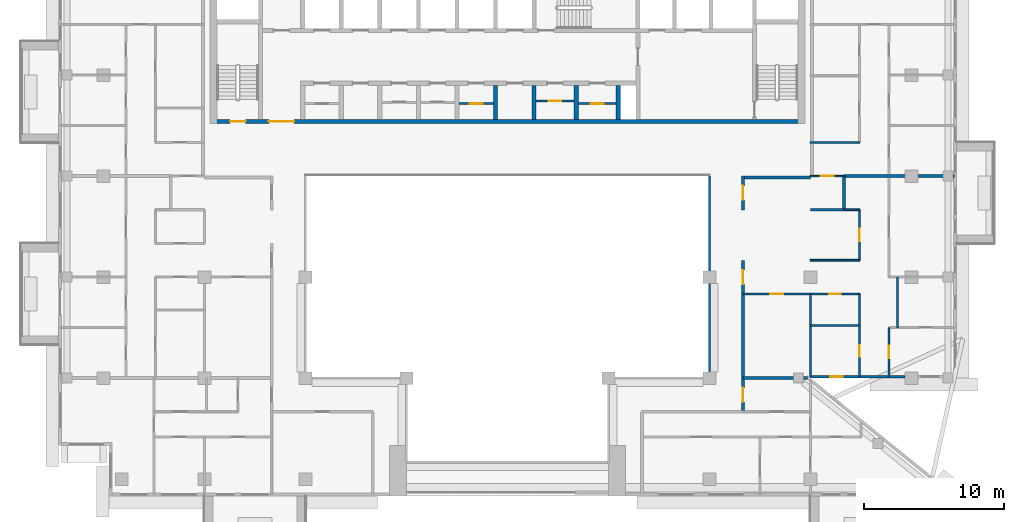
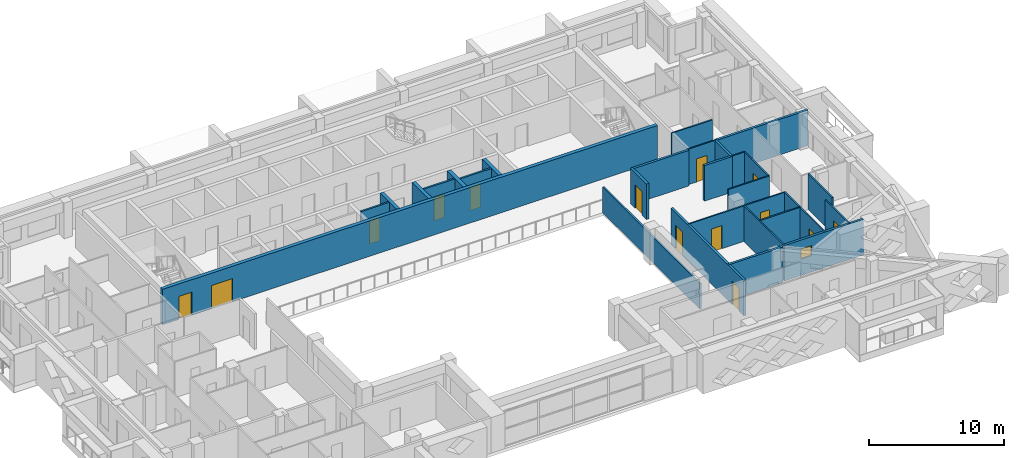
# One storey, part 9 of 19: 28 walls, 14 doors, 1 window, 15 openings.
"""IFC4 building model written with IfcOpenShell, lengths in metres."""

from ifc_helpers import new_model, si_unit, direction, frame, frame_2d, origin, place, context, subcontext, project, spatial, rectangle, extrude, material, layer, layer_set, type_object, element, fill, save


model = new_model("IFC4")

# Units and contexts
model_context = context("Model", 3, precision=1e-05, world=origin(), true_north=direction((0.0, 1.0)))
body_context = subcontext(model_context, "Body", "Model", "MODEL_VIEW")
ifc_project = project(units=[si_unit("LENGTHUNIT", "METRE"), si_unit("AREAUNIT", "SQUARE_METRE"), si_unit("VOLUMEUNIT", "CUBIC_METRE"), si_unit("PLANEANGLEUNIT", "RADIAN"), si_unit("MASSUNIT", "GRAM", prefix="KILO")], contexts=[model_context])

# Site, building, storey
site_placement = place(None, origin())
site = spatial("IfcSite", under=ifc_project, at=site_placement, CompositionType="ELEMENT")
building_placement = place(site_placement, origin())
building = spatial("IfcBuilding", under=site, at=building_placement, Name="Saffron Iwan Residences", CompositionType="ELEMENT")
storey_placement = place(building_placement, frame((0.0, 0.0, 222.0)))
storey = spatial("IfcBuildingStorey", under=building, at=storey_placement, Name="L59", CompositionType="ELEMENT", Elevation=222.0)

# Wall
ifc_material_1 = material(Name="Fire-rated glazing", Category="glass")
ifc_layer_1 = layer(ifc_material_1, 0.14990234375)
ifc_layer_set_1 = layer_set([ifc_layer_1], Name="Fire-rated glazing")
wall_type_1 = type_object("IfcWallType", Name="Atrium glazed screen 150", PredefinedType="SOLIDWALL", material=ifc_layer_set_1)
wall_1_placement = place(storey_placement, frame((64.800048828125, 48.0, 0.0), z_axis=(0.0, 0.0, 1.0), x_axis=(0.0, 1.0, 0.0)))
element("IfcWall", 1, at=wall_1_placement, inside=storey, type_object=wall_type_1, Name="W-L59-SCREEN-v64.8-48", PredefinedType="SOLIDWALL", context=body_context, shape_type="SweptSolid", body=[
    extrude(rectangle(XDim=14.39990234375, YDim=0.14990234375, at=frame_2d((7.199951171875, 0.0))), origin(), (0.0, 0.0, 1.0), 2.320068359375),
])

# Wall, opening, door
ifc_material_2 = material(Name="Fire-rated plasterboard partition")
ifc_layer_2 = layer(ifc_material_2, 0.14990234375)
ifc_layer_set_2 = layer_set([ifc_layer_2], Name="Fire-rated plasterboard partition")
wall_type_2 = type_object("IfcWallType", Name="Core partition 150", PredefinedType="PARTITIONING", material=ifc_layer_set_2)
wall_2_placement = place(storey_placement, frame((46.949951171875, 67.5654296875, 0.0), z_axis=(0.0, 0.0, 1.0), x_axis=(1.0, 0.0, 0.0)))
wall_2 = element("IfcWall", 2, at=wall_2_placement, inside=storey, type_object=wall_type_2, Name="Core partition P04", PredefinedType="PARTITIONING", context=body_context, shape_type="SweptSolid", body=[
    extrude(rectangle(XDim=2.449951171875, YDim=0.14990234375, at=frame_2d((1.22509765625, 0.0))), origin(), (0.0, 0.0, 1.0), 3.219970703125),
])
opening_1_placement = place(wall_2_placement, frame((0.77490234375, 0.0, 0.0)))
opening_1 = element("IfcOpeningElement", 3, at=opening_1_placement, cuts=wall_2, Name="Opening SB", PredefinedType="OPENING", context=body_context, shape_type="SweptSolid", body=[
    extrude(rectangle(XDim=0.89990234375, YDim=2.10009765625, at=frame_2d((0.449951171875, 1.050048828125))), frame((0.0, 0.0849609375, 0.0), z_axis=(0.0, -1.0, 0.0), x_axis=(1.0, 0.0, 0.0)), (0.0, 0.0, 1.0), 0.169921875),
])
ifc_material_3 = material(Name="Steel fire door", Category="steel")
door_type_1 = type_object("IfcDoorType", Name="Store door 900", OperationType="NOTDEFINED", PredefinedType="DOOR", material=ifc_material_3)
door_1_placement = place(opening_1_placement, origin())
door_1 = element("IfcDoor", 4, at=door_1_placement, inside=storey, type_object=door_type_1, Name="Door Equipment store", OperationType="SINGLE_SWING_RIGHT", OverallHeight=2.10009765625, OverallWidth=0.89990234375, PredefinedType="DOOR", context=body_context, shape_type="SweptSolid", body=[
    extrude(rectangle(XDim=0.89990234375, YDim=2.10009765625, at=frame_2d((0.449951171875, 1.050048828125))), frame((0.0, 0.02490234375, 0.0), z_axis=(0.0, -1.0, 0.0), x_axis=(1.0, 0.0, 0.0)), (0.0, 0.0, 1.0), 0.050048828125),
])
fill(opening_1, door_1)

wall_3_placement = place(storey_placement, frame((52.449951171875, 67.759521484375, 0.0), z_axis=(0.0, 0.0, 1.0), x_axis=(1.0, 0.0, 0.0)))
wall_3 = element("IfcWall", 5, at=wall_3_placement, inside=storey, type_object=wall_type_2, Name="Core partition P05", PredefinedType="PARTITIONING", context=body_context, shape_type="SweptSolid", body=[
    extrude(rectangle(XDim=2.699951171875, YDim=0.14990234375, at=frame_2d((1.35009765625, 0.0))), origin(), (0.0, 0.0, 1.0), 3.219970703125),
])
opening_2_placement = place(wall_3_placement, frame((0.89990234375, 0.0, 0.0)))
opening_2 = element("IfcOpeningElement", 6, at=opening_2_placement, cuts=wall_3, Name="Opening SB", PredefinedType="OPENING", context=body_context, shape_type="SweptSolid", body=[
    extrude(rectangle(XDim=0.89990234375, YDim=2.10009765625, at=frame_2d((0.449951171875, 1.050048828125))), frame((0.0, 0.0849609375, 0.0), z_axis=(0.0, -1.0, 0.0), x_axis=(1.0, 0.0, 0.0)), (0.0, 0.0, 1.0), 0.169921875),
])
door_2_placement = place(opening_2_placement, origin())
door_2 = element("IfcDoor", 7, at=door_2_placement, inside=storey, type_object=door_type_1, Name="Door Stationery store", OperationType="SINGLE_SWING_LEFT", OverallHeight=2.10009765625, OverallWidth=0.89990234375, PredefinedType="DOOR", context=body_context, shape_type="SweptSolid", body=[
    extrude(rectangle(XDim=0.89990234375, YDim=2.10009765625, at=frame_2d((0.449951171875, 1.050048828125))), frame((0.0, 0.02490234375, 0.0), z_axis=(0.0, -1.0, 0.0), x_axis=(1.0, 0.0, 0.0)), (0.0, 0.0, 1.0), 0.050048828125),
])
fill(opening_2, door_2)

wall_4_placement = place(storey_placement, frame((55.449951171875, 67.5654296875, 0.0), z_axis=(0.0, 0.0, 1.0), x_axis=(1.0, 0.0, 0.0)))
wall_4 = element("IfcWall", 8, at=wall_4_placement, inside=storey, type_object=wall_type_2, Name="Core partition P06", PredefinedType="PARTITIONING", context=body_context, shape_type="SweptSolid", body=[
    extrude(rectangle(XDim=2.699951171875, YDim=0.14990234375, at=frame_2d((1.35009765625, 0.0))), origin(), (0.0, 0.0, 1.0), 3.219970703125),
])
opening_3_placement = place(wall_4_placement, frame((0.89990234375, 0.0, 0.0)))
opening_3 = element("IfcOpeningElement", 9, at=opening_3_placement, cuts=wall_4, Name="Opening SB", PredefinedType="OPENING", context=body_context, shape_type="SweptSolid", body=[
    extrude(rectangle(XDim=0.89990234375, YDim=2.10009765625, at=frame_2d((0.449951171875, 1.050048828125))), frame((0.0, 0.0849609375, 0.0), z_axis=(0.0, -1.0, 0.0), x_axis=(1.0, 0.0, 0.0)), (0.0, 0.0, 1.0), 0.169921875),
])
door_3_placement = place(opening_3_placement, origin())
door_3 = element("IfcDoor", 10, at=door_3_placement, inside=storey, type_object=door_type_1, Name="Door Tool store", OperationType="SINGLE_SWING_RIGHT", OverallHeight=2.10009765625, OverallWidth=0.89990234375, PredefinedType="DOOR", context=body_context, shape_type="SweptSolid", body=[
    extrude(rectangle(XDim=0.89990234375, YDim=2.10009765625, at=frame_2d((0.449951171875, 1.050048828125))), frame((0.0, 0.02490234375, 0.0), z_axis=(0.0, -1.0, 0.0), x_axis=(1.0, 0.0, 0.0)), (0.0, 0.0, 1.0), 0.050048828125),
])
fill(opening_3, door_3)

# Wall, opening, window
ifc_material_4 = material(Name="Concrete C40/50", Category="concrete")
ifc_layer_3 = layer(ifc_material_4, 0.199951171875)
ifc_layer_set_3 = layer_set([ifc_layer_3], Name="Concrete C40/50")
wall_type_3 = type_object("IfcWallType", Name="EXTERNAL WALL 200", PredefinedType="SOLIDWALL", material=ifc_layer_set_3)
wall_5_placement = place(storey_placement, frame((71.987060546875, 48.10009765625, 0.0), z_axis=(0.0, 0.0, 1.0), x_axis=(1.0, 0.0, 0.0)))
wall_5 = element("IfcWall", 11, at=wall_5_placement, inside=storey, type_object=wall_type_3, Name="External wall L59 F1.0", PredefinedType="SOLIDWALL", context=body_context, shape_type="SweptSolid", body=[
    extrude(rectangle(XDim=6.762939453125, YDim=0.199951171875, at=frame_2d((3.38134765625, 0.0))), origin(), (0.0, 0.0, 1.0), 3.219970703125),
])
opening_4_placement = place(wall_5_placement, frame((1.406494140625, 0.0, 1.5)))
opening_4 = element("IfcOpeningElement", 12, at=opening_4_placement, cuts=wall_5, Name="Opening W6", PredefinedType="OPENING", context=body_context, shape_type="SweptSolid", body=[
    extrude(rectangle(XDim=0.89990234375, YDim=0.89990234375, at=frame_2d((0.449951171875, 0.449951171875))), frame((0.0, 0.10986328125, 0.0), z_axis=(0.0, -1.0, 0.0), x_axis=(1.0, 0.0, 0.0)), (0.0, 0.0, 1.0), 0.219970703125),
])
ifc_material_5 = material(Name="Clear glass, laminated double glazed", Category="glass")
window_type = type_object("IfcWindowType", Name="WINDOW 900 x 900 BATH", PartitioningType="SINGLE_PANEL", PredefinedType="WINDOW", material=ifc_material_5)
window_placement = place(opening_4_placement, origin())
window = element("IfcWindow", 13, at=window_placement, inside=storey, type_object=window_type, Name="Window L59 F1.0", OverallHeight=0.89990234375, OverallWidth=0.89990234375, PartitioningType="SINGLE_PANEL", PredefinedType="WINDOW", context=body_context, shape_type="SweptSolid", body=[
    extrude(rectangle(XDim=0.89990234375, YDim=0.89990234375, at=frame_2d((0.449951171875, 0.449951171875))), frame((0.0, 0.030029296875, 0.0), z_axis=(0.0, -1.0, 0.0), x_axis=(1.0, 0.0, 0.0)), (0.0, 0.0, 1.0), 0.06005859375),
])
fill(opening_4, window)

# Walls
ifc_material_6 = material(Name="Fire-rated gypsum board wall")
ifc_layer_4 = layer(ifc_material_6, 0.199951171875)
ifc_layer_set_4 = layer_set([ifc_layer_4], Name="Fire-rated gypsum board wall")
wall_type_4 = type_object("IfcWallType", Name="Flat demising wall 200", PredefinedType="SOLIDWALL", material=ifc_layer_set_4)
wall_6_placement = place(storey_placement, frame((67.199951171875, 48.0, 0.0), z_axis=(0.0, 0.0, 1.0), x_axis=(1.0, 0.0, 0.0)))
element("IfcWall", 14, at=wall_6_placement, inside=storey, type_object=wall_type_4, Name="W-L59-DEMISE-h48-67.2", PredefinedType="SOLIDWALL", context=body_context, shape_type="SweptSolid", body=[
    extrude(rectangle(XDim=4.60107421875, YDim=0.199951171875, at=frame_2d((2.300537109375, 0.0))), origin(), (0.0, 0.0, 1.0), 3.219970703125),
])
wall_7_placement = place(storey_placement, frame((72.0, 60.0, 0.0), z_axis=(0.0, 0.0, 1.0), x_axis=(1.0, 0.0, 0.0)))
element("IfcWall", 15, at=wall_7_placement, inside=storey, type_object=wall_type_4, Name="W-L59-DEMISE-h60-72", PredefinedType="SOLIDWALL", context=body_context, shape_type="SweptSolid", body=[
    extrude(rectangle(XDim=2.39990234375, YDim=0.199951171875, at=frame_2d((1.199951171875, 0.0))), origin(), (0.0, 0.0, 1.0), 3.219970703125),
])
wall_8_placement = place(storey_placement, frame((74.39990234375, 62.39990234375, 0.0), z_axis=(0.0, 0.0, 1.0), x_axis=(1.0, 0.0, 0.0)))
element("IfcWall", 16, at=wall_8_placement, inside=storey, type_object=wall_type_4, Name="W-L59-DEMISE-h62.4-74.4", PredefinedType="SOLIDWALL", context=body_context, shape_type="SweptSolid", body=[
    extrude(rectangle(XDim=7.875, YDim=0.199951171875, at=frame_2d((3.9375, 0.0))), origin(), (0.0, 0.0, 1.0), 3.219970703125),
])
wall_9_placement = place(storey_placement, frame((74.39990234375, 60.0, 0.0), z_axis=(0.0, 0.0, 1.0), x_axis=(0.0, 1.0, 0.0)))
element("IfcWall", 17, at=wall_9_placement, inside=storey, type_object=wall_type_4, Name="W-L59-DEMISE-v74.4-60", PredefinedType="SOLIDWALL", context=body_context, shape_type="SweptSolid", body=[
    extrude(rectangle(XDim=2.39990234375, YDim=0.199951171875, at=frame_2d((1.199951171875, 0.0))), origin(), (0.0, 0.0, 1.0), 3.219970703125),
])
ifc_material_7 = material(Name="Gypsum board partition")
ifc_layer_5 = layer(ifc_material_7, 0.1201171875)
ifc_layer_set_5 = layer_set([ifc_layer_5], Name="Gypsum board partition")
wall_type_5 = type_object("IfcWallType", Name="Flat partition 120", PredefinedType="PARTITIONING", material=ifc_layer_set_5)
wall_10_placement = place(storey_placement, frame((72.0, 51.75, 0.0), z_axis=(0.0, 0.0, 1.0), x_axis=(1.0, 0.0, 0.0)))
element("IfcWall", 18, at=wall_10_placement, inside=storey, type_object=wall_type_5, Name="W-L59-PART-h51.75-72", PredefinedType="PARTITIONING", context=body_context, shape_type="SweptSolid", body=[
    extrude(rectangle(XDim=3.5, YDim=0.1201171875, at=frame_2d((1.75, 0.0))), origin(), (0.0, 0.0, 1.0), 3.219970703125),
])

# Wall, openings, doors
wall_11_placement = place(storey_placement, frame((67.199951171875, 54.0, 0.0), z_axis=(0.0, 0.0, 1.0), x_axis=(1.0, 0.0, 0.0)))
wall_11 = element("IfcWall", 19, at=wall_11_placement, inside=storey, type_object=wall_type_5, Name="W-L59-PART-h54-67.2", PredefinedType="PARTITIONING", context=body_context, shape_type="SweptSolid", body=[
    extrude(rectangle(XDim=8.300048828125, YDim=0.1201171875, at=frame_2d((4.14990234375, 0.0))), origin(), (0.0, 0.0, 1.0), 3.219970703125),
])
opening_5_placement = place(wall_11_placement, frame((6.14990234375, 0.0, 0.0)))
opening_5 = element("IfcOpeningElement", 20, at=opening_5_placement, cuts=wall_11, Name="Opening FD3", PredefinedType="OPENING", context=body_context, shape_type="SweptSolid", body=[
    extrude(rectangle(XDim=0.800048828125, YDim=2.10009765625, at=frame_2d((0.39990234375, 1.050048828125))), frame((0.0, 0.070068359375, 0.0), z_axis=(0.0, -1.0, 0.0), x_axis=(1.0, 0.0, 0.0)), (0.0, 0.0, 1.0), 0.14013671875),
])
opening_6_placement = place(wall_11_placement, frame((1.949951171875, 0.0, 0.0)))
opening_6 = element("IfcOpeningElement", 21, at=opening_6_placement, cuts=wall_11, Name="Opening FD2", PredefinedType="OPENING", context=body_context, shape_type="SweptSolid", body=[
    extrude(rectangle(XDim=0.89990234375, YDim=2.10009765625, at=frame_2d((0.449951171875, 1.050048828125))), frame((0.0, 0.070068359375, 0.0), z_axis=(0.0, -1.0, 0.0), x_axis=(1.0, 0.0, 0.0)), (0.0, 0.0, 1.0), 0.14013671875),
])
ifc_material_8 = material(Name="Timber door", Category="wood")
door_type_2 = type_object("IfcDoorType", Name="Bathroom door 800", OperationType="NOTDEFINED", PredefinedType="DOOR", material=ifc_material_8)
door_4_placement = place(opening_5_placement, origin())
door_4 = element("IfcDoor", 22, at=door_4_placement, inside=storey, type_object=door_type_2, Name="Door L59-021", OperationType="SINGLE_SWING_LEFT", OverallHeight=2.10009765625, OverallWidth=0.800048828125, PredefinedType="DOOR", context=body_context, shape_type="SweptSolid", body=[
    extrude(rectangle(XDim=0.800048828125, YDim=2.10009765625, at=frame_2d((0.39990234375, 1.050048828125))), frame((0.0, 0.02490234375, 0.0), z_axis=(0.0, -1.0, 0.0), x_axis=(1.0, 0.0, 0.0)), (0.0, 0.0, 1.0), 0.050048828125),
])
fill(opening_5, door_4)
door_type_3 = type_object("IfcDoorType", Name="Flat door 900", OperationType="NOTDEFINED", PredefinedType="DOOR", material=ifc_material_8)
door_5_placement = place(opening_6_placement, origin())
door_5 = element("IfcDoor", 23, at=door_5_placement, inside=storey, type_object=door_type_3, Name="Door L59-023", OperationType="SINGLE_SWING_RIGHT", OverallHeight=2.10009765625, OverallWidth=0.89990234375, PredefinedType="DOOR", context=body_context, shape_type="SweptSolid", body=[
    extrude(rectangle(XDim=0.89990234375, YDim=2.10009765625, at=frame_2d((0.449951171875, 1.050048828125))), frame((0.0, 0.02490234375, 0.0), z_axis=(0.0, -1.0, 0.0), x_axis=(1.0, 0.0, 0.0)), (0.0, 0.0, 1.0), 0.050048828125),
])
fill(opening_6, door_5)

# Walls
wall_12_placement = place(storey_placement, frame((72.0, 56.39990234375, 0.0), z_axis=(0.0, 0.0, 1.0), x_axis=(1.0, 0.0, 0.0)))
element("IfcWall", 24, at=wall_12_placement, inside=storey, type_object=wall_type_5, Name="W-L59-PART-h56.4-72", PredefinedType="PARTITIONING", context=body_context, shape_type="SweptSolid", body=[
    extrude(rectangle(XDim=3.5, YDim=0.1201171875, at=frame_2d((1.75, 0.0))), origin(), (0.0, 0.0, 1.0), 3.219970703125),
])
wall_13_placement = place(storey_placement, frame((74.39990234375, 60.0, 0.0), z_axis=(0.0, 0.0, 1.0), x_axis=(1.0, 0.0, 0.0)))
element("IfcWall", 25, at=wall_13_placement, inside=storey, type_object=wall_type_5, Name="W-L59-PART-h60-74.4", PredefinedType="PARTITIONING", context=body_context, shape_type="SweptSolid", body=[
    extrude(rectangle(XDim=1.10009765625, YDim=0.1201171875, at=frame_2d((0.550048828125, 0.0))), origin(), (0.0, 0.0, 1.0), 3.219970703125),
])

# Wall, opening, door
wall_14_placement = place(storey_placement, frame((72.0, 62.39990234375, 0.0), z_axis=(0.0, 0.0, 1.0), x_axis=(1.0, 0.0, 0.0)))
wall_14 = element("IfcWall", 26, at=wall_14_placement, inside=storey, type_object=wall_type_5, Name="W-L59-PART-h62.4-72", PredefinedType="PARTITIONING", context=body_context, shape_type="SweptSolid", body=[
    extrude(rectangle(XDim=2.39990234375, YDim=0.1201171875, at=frame_2d((1.199951171875, 0.0))), origin(), (0.0, 0.0, 1.0), 3.219970703125),
])
opening_7_placement = place(wall_14_placement, frame((0.75, 0.0, 0.0)))
opening_7 = element("IfcOpeningElement", 27, at=opening_7_placement, cuts=wall_14, Name="Opening FD2", PredefinedType="OPENING", context=body_context, shape_type="SweptSolid", body=[
    extrude(rectangle(XDim=0.89990234375, YDim=2.10009765625, at=frame_2d((0.449951171875, 1.050048828125))), frame((0.0, 0.070068359375, 0.0), z_axis=(0.0, -1.0, 0.0), x_axis=(1.0, 0.0, 0.0)), (0.0, 0.0, 1.0), 0.14013671875),
])
door_6_placement = place(opening_7_placement, origin())
door_6 = element("IfcDoor", 28, at=door_6_placement, inside=storey, type_object=door_type_3, Name="Door L59-032", OperationType="SINGLE_SWING_RIGHT", OverallHeight=2.10009765625, OverallWidth=0.89990234375, PredefinedType="DOOR", context=body_context, shape_type="SweptSolid", body=[
    extrude(rectangle(XDim=0.89990234375, YDim=2.10009765625, at=frame_2d((0.449951171875, 1.050048828125))), frame((0.0, 0.02490234375, 0.0), z_axis=(0.0, -1.0, 0.0), x_axis=(1.0, 0.0, 0.0)), (0.0, 0.0, 1.0), 0.050048828125),
])
fill(opening_7, door_6)

# Walls
wall_15_placement = place(storey_placement, frame((72.0, 64.800048828125, 0.0), z_axis=(0.0, 0.0, 1.0), x_axis=(1.0, 0.0, 0.0)))
element("IfcWall", 29, at=wall_15_placement, inside=storey, type_object=wall_type_5, Name="W-L59-PART-h64.8-72", PredefinedType="PARTITIONING", context=body_context, shape_type="SweptSolid", body=[
    extrude(rectangle(XDim=3.5, YDim=0.1201171875, at=frame_2d((1.75, 0.0))), origin(), (0.0, 0.0, 1.0), 3.219970703125),
])
wall_16_placement = place(storey_placement, frame((72.0, 48.125, 0.0), z_axis=(0.0, 0.0, 1.0), x_axis=(0.0, 1.0, 0.0)))
element("IfcWall", 30, at=wall_16_placement, inside=storey, type_object=wall_type_5, Name="W-L59-PART-v72-48.125", PredefinedType="PARTITIONING", context=body_context, shape_type="SweptSolid", body=[
    extrude(rectangle(XDim=5.875, YDim=0.1201171875, at=frame_2d((2.9375, 0.0))), origin(), (0.0, 0.0, 1.0), 3.219970703125),
])

# Wall, opening, door
wall_17_placement = place(storey_placement, frame((75.5, 48.125, 0.0), z_axis=(0.0, 0.0, 1.0), x_axis=(0.0, 1.0, 0.0)))
wall_17 = element("IfcWall", 31, at=wall_17_placement, inside=storey, type_object=wall_type_5, Name="W-L59-PART-v75.5-48.125", PredefinedType="PARTITIONING", context=body_context, shape_type="SweptSolid", body=[
    extrude(rectangle(XDim=5.875, YDim=0.1201171875, at=frame_2d((2.9375, 0.0))), origin(), (0.0, 0.0, 1.0), 3.219970703125),
])
opening_8_placement = place(wall_17_placement, frame((1.41259765625, 0.0, 0.0)))
opening_8 = element("IfcOpeningElement", 32, at=opening_8_placement, cuts=wall_17, Name="Opening FD3", PredefinedType="OPENING", context=body_context, shape_type="SweptSolid", body=[
    extrude(rectangle(XDim=0.800048828125, YDim=2.10009765625, at=frame_2d((0.39990234375, 1.050048828125))), frame((0.0, 0.070068359375, 0.0), z_axis=(0.0, -1.0, 0.0), x_axis=(1.0, 0.0, 0.0)), (0.0, 0.0, 1.0), 0.14013671875),
])
door_7_placement = place(opening_8_placement, origin())
door_7 = element("IfcDoor", 33, at=door_7_placement, inside=storey, type_object=door_type_2, Name="Door L59-020", OperationType="SINGLE_SWING_RIGHT", OverallHeight=2.10009765625, OverallWidth=0.800048828125, PredefinedType="DOOR", context=body_context, shape_type="SweptSolid", body=[
    extrude(rectangle(XDim=0.800048828125, YDim=2.10009765625, at=frame_2d((0.39990234375, 1.050048828125))), frame((0.0, 0.02490234375, 0.0), z_axis=(0.0, -1.0, 0.0), x_axis=(1.0, 0.0, 0.0)), (0.0, 0.0, 1.0), 0.050048828125),
])
fill(opening_8, door_7)

wall_18_placement = place(storey_placement, frame((75.5, 56.39990234375, 0.0), z_axis=(0.0, 0.0, 1.0), x_axis=(0.0, 1.0, 0.0)))
wall_18 = element("IfcWall", 34, at=wall_18_placement, inside=storey, type_object=wall_type_5, Name="W-L59-PART-v75.5-56.4", PredefinedType="PARTITIONING", context=body_context, shape_type="SweptSolid", body=[
    extrude(rectangle(XDim=3.60009765625, YDim=0.1201171875, at=frame_2d((1.800048828125, 0.0))), origin(), (0.0, 0.0, 1.0), 3.219970703125),
])
opening_9_placement = place(wall_18_placement, frame((1.35009765625, 0.0, 0.0)))
opening_9 = element("IfcOpeningElement", 35, at=opening_9_placement, cuts=wall_18, Name="Opening FD2", PredefinedType="OPENING", context=body_context, shape_type="SweptSolid", body=[
    extrude(rectangle(XDim=0.89990234375, YDim=2.10009765625, at=frame_2d((0.449951171875, 1.050048828125))), frame((0.0, 0.070068359375, 0.0), z_axis=(0.0, -1.0, 0.0), x_axis=(1.0, 0.0, 0.0)), (0.0, 0.0, 1.0), 0.14013671875),
])
door_8_placement = place(opening_9_placement, origin())
door_8 = element("IfcDoor", 36, at=door_8_placement, inside=storey, type_object=door_type_3, Name="Door L59-022", OperationType="SINGLE_SWING_LEFT", OverallHeight=2.10009765625, OverallWidth=0.89990234375, PredefinedType="DOOR", context=body_context, shape_type="SweptSolid", body=[
    extrude(rectangle(XDim=0.89990234375, YDim=2.10009765625, at=frame_2d((0.449951171875, 1.050048828125))), frame((0.0, 0.02490234375, 0.0), z_axis=(0.0, -1.0, 0.0), x_axis=(1.0, 0.0, 0.0)), (0.0, 0.0, 1.0), 0.050048828125),
])
fill(opening_9, door_8)

wall_19_placement = place(storey_placement, frame((77.60009765625, 48.125, 0.0), z_axis=(0.0, 0.0, 1.0), x_axis=(0.0, 1.0, 0.0)))
wall_19 = element("IfcWall", 37, at=wall_19_placement, inside=storey, type_object=wall_type_5, Name="W-L59-PART-v77.6-48.125", PredefinedType="PARTITIONING", context=body_context, shape_type="SweptSolid", body=[
    extrude(rectangle(XDim=3.47509765625, YDim=0.1201171875, at=frame_2d((1.737548828125, 0.0))), origin(), (0.0, 0.0, 1.0), 3.219970703125),
])
opening_10_placement = place(wall_19_placement, frame((1.28759765625, 0.0, 0.0)))
opening_10 = element("IfcOpeningElement", 38, at=opening_10_placement, cuts=wall_19, Name="Opening FD2", PredefinedType="OPENING", context=body_context, shape_type="SweptSolid", body=[
    extrude(rectangle(XDim=0.89990234375, YDim=2.10009765625, at=frame_2d((0.449951171875, 1.050048828125))), frame((0.0, 0.070068359375, 0.0), z_axis=(0.0, -1.0, 0.0), x_axis=(1.0, 0.0, 0.0)), (0.0, 0.0, 1.0), 0.14013671875),
])
door_9_placement = place(opening_10_placement, origin())
door_9 = element("IfcDoor", 39, at=door_9_placement, inside=storey, type_object=door_type_3, Name="Door L59-017", OperationType="SINGLE_SWING_RIGHT", OverallHeight=2.10009765625, OverallWidth=0.89990234375, PredefinedType="DOOR", context=body_context, shape_type="SweptSolid", body=[
    extrude(rectangle(XDim=0.89990234375, YDim=2.10009765625, at=frame_2d((0.449951171875, 1.050048828125))), frame((0.0, 0.02490234375, 0.0), z_axis=(0.0, -1.0, 0.0), x_axis=(1.0, 0.0, 0.0)), (0.0, 0.0, 1.0), 0.050048828125),
])
fill(opening_10, door_9)

# Walls
wall_20_placement = place(storey_placement, frame((78.199951171875, 51.60009765625, 0.0), z_axis=(0.0, 0.0, 1.0), x_axis=(0.0, 1.0, 0.0)))
element("IfcWall", 40, at=wall_20_placement, inside=storey, type_object=wall_type_5, Name="W-L59-PART-v78.2-51.6", PredefinedType="PARTITIONING", context=body_context, shape_type="SweptSolid", body=[
    extrude(rectangle(XDim=3.599853515625, YDim=0.1201171875, at=frame_2d((1.7998046875, 0.0))), origin(), (0.0, 0.0, 1.0), 3.219970703125),
])
ifc_layer_6 = layer(ifc_material_6, 0.199951171875)
ifc_layer_set_6 = layer_set([ifc_layer_6], Name="Fire-rated gypsum board wall")
wall_type_6 = type_object("IfcWallType", Name="Gallery wall 200", PredefinedType="SOLIDWALL", material=ifc_layer_set_6)
wall_21_placement = place(storey_placement, frame((67.199951171875, 62.300048828125, 0.0), z_axis=(0.0, 0.0, 1.0), x_axis=(1.0, 0.0, 0.0)))
element("IfcWall", 41, at=wall_21_placement, inside=storey, type_object=wall_type_6, Name="W-L59-CORR-h62.4-67.2", PredefinedType="SOLIDWALL", context=body_context, shape_type="SweptSolid", body=[
    extrude(rectangle(XDim=4.800048828125, YDim=0.199951171875, at=frame_2d((2.39990234375, 0.0))), origin(), (0.0, 0.0, 1.0), 3.219970703125),
])

# Wall, openings, doors
wall_22_placement = place(storey_placement, frame((67.199951171875, 45.60009765625, 0.0), z_axis=(0.0, 0.0, 1.0), x_axis=(0.0, 1.0, 0.0)))
wall_22 = element("IfcWall", 42, at=wall_22_placement, inside=storey, type_object=wall_type_6, Name="W-L59-CORR-v67.2-45.6", PredefinedType="SOLIDWALL", context=body_context, shape_type="SweptSolid", body=[
    extrude(rectangle(XDim=10.7998046875, YDim=0.199951171875, at=frame_2d((5.39990234375, 0.0))), origin(), (0.0, 0.0, 1.0), 3.219970703125),
])
opening_11_placement = place(wall_22_placement, frame((9.10009765625, 0.0, 0.0)))
opening_11 = element("IfcOpeningElement", 43, at=opening_11_placement, cuts=wall_22, Name="Opening FD1", PredefinedType="OPENING", context=body_context, shape_type="SweptSolid", body=[
    extrude(rectangle(XDim=1.0, YDim=2.10009765625, at=frame_2d((0.5, 1.050048828125))), frame((0.0, 0.10986328125, 0.0), z_axis=(0.0, -1.0, 0.0), x_axis=(1.0, 0.0, 0.0)), (0.0, 0.0, 1.0), 0.219970703125),
])
opening_12_placement = place(wall_22_placement, frame((0.699951171875, 0.0, 0.0)))
opening_12 = element("IfcOpeningElement", 44, at=opening_12_placement, cuts=wall_22, Name="Opening FD5", PredefinedType="OPENING", context=body_context, shape_type="SweptSolid", body=[
    extrude(rectangle(XDim=1.0, YDim=2.10009765625, at=frame_2d((0.5, 1.050048828125))), frame((0.0, 0.10986328125, 0.0), z_axis=(0.0, -1.0, 0.0), x_axis=(1.0, 0.0, 0.0)), (0.0, 0.0, 1.0), 0.219970703125),
])
ifc_material_9 = material(Name="Fire-rated timber door", Category="wood")
door_type_4 = type_object("IfcDoorType", Name="FD30S flat entrance door 1000", OperationType="NOTDEFINED", PredefinedType="DOOR", material=ifc_material_9)
door_10_placement = place(opening_11_placement, origin())
door_10 = element("IfcDoor", 45, at=door_10_placement, inside=storey, type_object=door_type_4, Name="Door L59-016", OperationType="SINGLE_SWING_LEFT", OverallHeight=2.10009765625, OverallWidth=1.0, PredefinedType="DOOR", context=body_context, shape_type="SweptSolid", body=[
    extrude(rectangle(XDim=1.0, YDim=2.10009765625, at=frame_2d((0.5, 1.050048828125))), frame((0.0, 0.02490234375, 0.0), z_axis=(0.0, -1.0, 0.0), x_axis=(1.0, 0.0, 0.0)), (0.0, 0.0, 1.0), 0.050048828125),
])
fill(opening_11, door_10)
door_type_5 = type_object("IfcDoorType", Name="Lobby door 1000", OperationType="NOTDEFINED", PredefinedType="DOOR", material=ifc_material_9)
door_11_placement = place(opening_12_placement, origin())
door_11 = element("IfcDoor", 46, at=door_11_placement, inside=storey, type_object=door_type_5, Name="Door L59-042", OperationType="SINGLE_SWING_LEFT", OverallHeight=2.10009765625, OverallWidth=1.0, PredefinedType="DOOR", context=body_context, shape_type="SweptSolid", body=[
    extrude(rectangle(XDim=1.0, YDim=2.10009765625, at=frame_2d((0.5, 1.050048828125))), frame((0.0, 0.02490234375, 0.0), z_axis=(0.0, -1.0, 0.0), x_axis=(1.0, 0.0, 0.0)), (0.0, 0.0, 1.0), 0.050048828125),
])
fill(opening_12, door_11)

# Wall, opening, door
wall_23_placement = place(storey_placement, frame((67.199951171875, 60.0, 0.0), z_axis=(0.0, 0.0, 1.0), x_axis=(0.0, 1.0, 0.0)))
wall_23 = element("IfcWall", 47, at=wall_23_placement, inside=storey, type_object=wall_type_6, Name="W-L59-CORR-v67.2-60", PredefinedType="SOLIDWALL", context=body_context, shape_type="SweptSolid", body=[
    extrude(rectangle(XDim=2.39990234375, YDim=0.199951171875, at=frame_2d((1.199951171875, 0.0))), origin(), (0.0, 0.0, 1.0), 3.219970703125),
])
opening_13_placement = place(wall_23_placement, frame((0.699951171875, 0.0, 0.0)))
opening_13 = element("IfcOpeningElement", 48, at=opening_13_placement, cuts=wall_23, Name="Opening FD5", PredefinedType="OPENING", context=body_context, shape_type="SweptSolid", body=[
    extrude(rectangle(XDim=1.0, YDim=2.10009765625, at=frame_2d((0.5, 1.050048828125))), frame((0.0, 0.10986328125, 0.0), z_axis=(0.0, -1.0, 0.0), x_axis=(1.0, 0.0, 0.0)), (0.0, 0.0, 1.0), 0.219970703125),
])
door_12_placement = place(opening_13_placement, origin())
door_12 = element("IfcDoor", 49, at=door_12_placement, inside=storey, type_object=door_type_5, Name="Door L59-033", OperationType="SINGLE_SWING_LEFT", OverallHeight=2.10009765625, OverallWidth=1.0, PredefinedType="DOOR", context=body_context, shape_type="SweptSolid", body=[
    extrude(rectangle(XDim=1.0, YDim=2.10009765625, at=frame_2d((0.5, 1.050048828125))), frame((0.0, 0.02490234375, 0.0), z_axis=(0.0, -1.0, 0.0), x_axis=(1.0, 0.0, 0.0)), (0.0, 0.0, 1.0), 0.050048828125),
])
fill(opening_13, door_12)

# Wall, openings, doors
ifc_layer_7 = layer(ifc_material_4, 0.300048828125)
ifc_layer_set_7 = layer_set([ifc_layer_7], Name="Concrete C40/50")
wall_type_7 = type_object("IfcWallType", Name="WALL CORE 300 C40/50 3220 HIGH", PredefinedType="SHEAR", material=ifc_layer_set_7)
wall_24_placement = place(storey_placement, frame((29.199951171875, 66.300048828125, 0.0), z_axis=(0.0, 0.0, 1.0), x_axis=(1.0, 0.0, 0.0)))
wall_24 = element("IfcWall", 50, at=wall_24_placement, inside=storey, type_object=wall_type_7, Name="Core wall", PredefinedType="SHEAR", context=body_context, shape_type="SweptSolid", body=[
    extrude(rectangle(XDim=42.400146484375, YDim=0.300048828125, at=frame_2d((21.2001953125, 0.0))), origin(), (0.0, 0.0, 1.0), 3.219970703125),
])
opening_14_placement = place(wall_24_placement, frame((1.425048828125, 0.0, 0.0)))
opening_14 = element("IfcOpeningElement", 51, at=opening_14_placement, cuts=wall_24, Name="Opening SD", PredefinedType="OPENING", context=body_context, shape_type="SweptSolid", body=[
    extrude(rectangle(XDim=1.10009765625, YDim=2.10009765625, at=frame_2d((0.550048828125, 1.050048828125))), frame((0.0, 0.16015625, 0.0), z_axis=(0.0, -1.0, 0.0), x_axis=(1.0, 0.0, 0.0)), (0.0, 0.0, 1.0), 0.320068359375),
])
opening_15_placement = place(wall_24_placement, frame((4.199951171875, 0.0, 0.0)))
opening_15 = element("IfcOpeningElement", 52, at=opening_15_placement, cuts=wall_24, Name="Opening DD", PredefinedType="OPENING", context=body_context, shape_type="SweptSolid", body=[
    extrude(rectangle(XDim=1.800048828125, YDim=2.10009765625, at=frame_2d((0.89990234375, 1.050048828125))), frame((0.0, 0.16015625, 0.0), z_axis=(0.0, -1.0, 0.0), x_axis=(1.0, 0.0, 0.0)), (0.0, 0.0, 1.0), 0.320068359375),
])
door_type_6 = type_object("IfcDoorType", Name="Lobby double door 1800", OperationType="DOUBLE_DOOR_SINGLE_SWING", PredefinedType="DOOR", material=ifc_material_3)
door_13_placement = place(opening_15_placement, origin())
door_13 = element("IfcDoor", 53, at=door_13_placement, inside=storey, type_object=door_type_6, Name="Lobby doors", OperationType="DOUBLE_DOOR_SINGLE_SWING", OverallHeight=2.10009765625, OverallWidth=1.800048828125, PredefinedType="DOOR", context=body_context, shape_type="SweptSolid", body=[
    extrude(rectangle(XDim=1.800048828125, YDim=2.10009765625, at=frame_2d((0.89990234375, 1.050048828125))), frame((0.0, 0.02490234375, 0.0), z_axis=(0.0, -1.0, 0.0), x_axis=(1.0, 0.0, 0.0)), (0.0, 0.0, 1.0), 0.050048828125),
])
fill(opening_15, door_13)
door_type_7 = type_object("IfcDoorType", Name="Stair door 1100", OperationType="NOTDEFINED", PredefinedType="DOOR", material=ifc_material_3)
door_14_placement = place(opening_14_placement, origin())
door_14 = element("IfcDoor", 54, at=door_14_placement, inside=storey, type_object=door_type_7, Name="Stair door ST-W", OperationType="SINGLE_SWING_LEFT", OverallHeight=2.10009765625, OverallWidth=1.10009765625, PredefinedType="DOOR", context=body_context, shape_type="SweptSolid", body=[
    extrude(rectangle(XDim=1.10009765625, YDim=2.10009765625, at=frame_2d((0.550048828125, 1.050048828125))), frame((0.0, 0.02490234375, 0.0), z_axis=(0.0, -1.0, 0.0), x_axis=(1.0, 0.0, 0.0)), (0.0, 0.0, 1.0), 0.050048828125),
])
fill(opening_14, door_14)

# Walls
for number, where, z_axis, x_axis, name in (
    (55, (49.550048828125, 66.449951171875, 0.0), (0.0, 0.0, 1.0), (0.0, 1.0, 0.0), "Core wall"),
    (56, (52.300048828125, 66.449951171875, 0.0), (0.0, 0.0, 1.0), (0.0, 1.0, 0.0), "Core wall"),
    (57, (55.300048828125, 66.449951171875, 0.0), (0.0, 0.0, 1.0), (0.0, 1.0, 0.0), "Core wall"),
    (58, (58.300048828125, 66.449951171875, 0.0), (0.0, 0.0, 1.0), (0.0, 1.0, 0.0), "Core wall"),
):
    element("IfcWall", number, at=place(storey_placement, frame(where, z_axis=z_axis, x_axis=x_axis)), inside=storey, type_object=wall_type_7, Name=name, PredefinedType="SHEAR", context=body_context, shape_type="SweptSolid", body=[
        extrude(rectangle(XDim=2.425048828125, YDim=0.300048828125, at=frame_2d((1.21240234375, 0.0))), origin(), (0.0, 0.0, 1.0), 3.219970703125),
    ])

save(model, "model.ifc")
